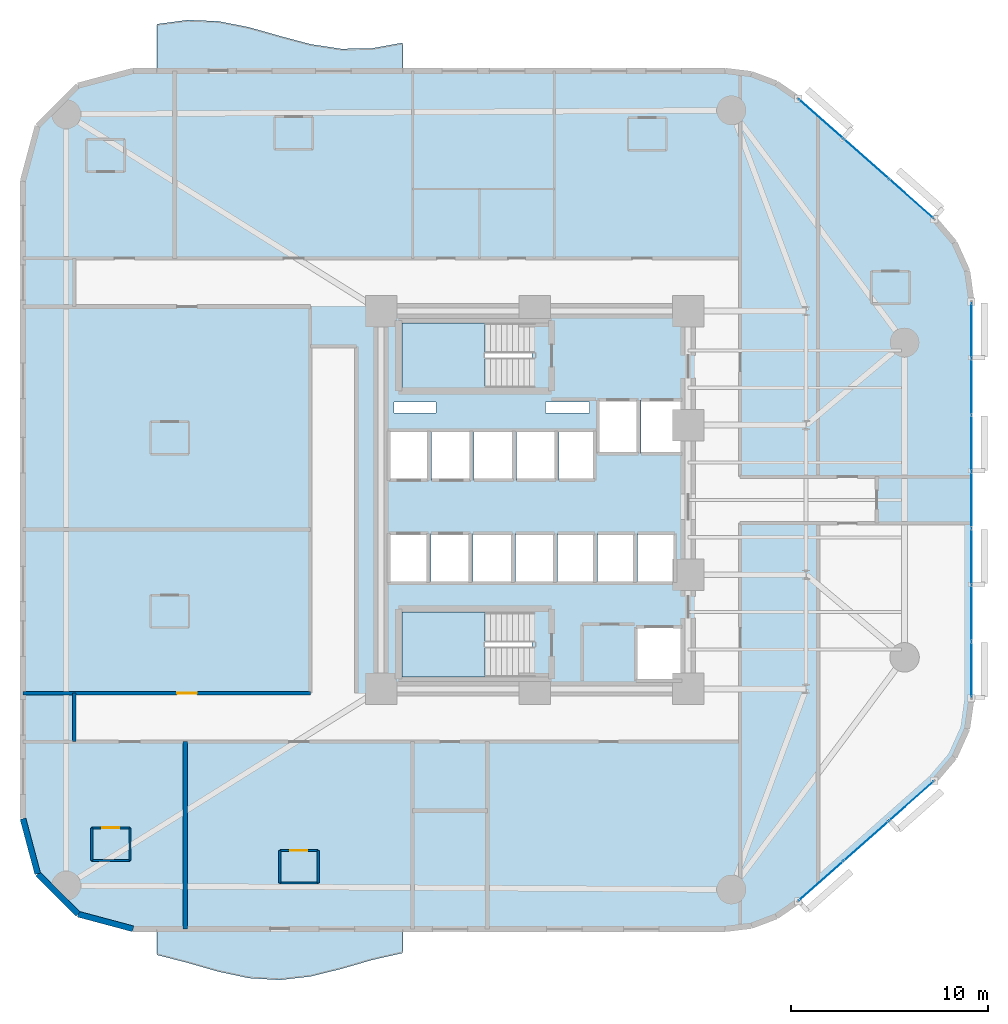
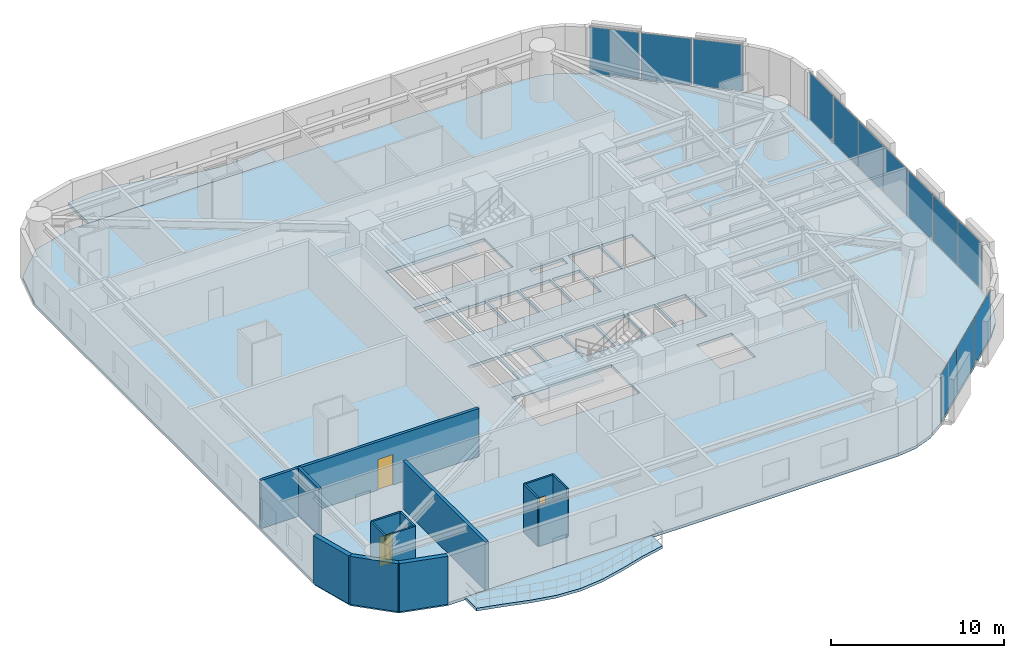
# One storey, part 9 of 16: 14 walls, 13 plates, 5 slabs, 3 doors, 3 openings, 5 elements without a shape of their own.
"""IFC4 building model written with IfcOpenShell, lengths in metres."""

from ifc_helpers import new_model, si_unit, direction, frame, frame_2d, origin, origin_2d, place, context, subcontext, project, spatial, polyline, rectangle, outline, extrude, material, layer, layer_set, type_object, element, fill, aggregate, save


model = new_model("IFC4")

# Units and contexts
model_context = context("Model", 3, precision=1e-05, world=origin(), true_north=direction((0.0, 1.0)))
body_context = subcontext(model_context, "Body", "Model", "MODEL_VIEW")
ifc_project = project(units=[si_unit("LENGTHUNIT", "METRE"), si_unit("AREAUNIT", "SQUARE_METRE"), si_unit("VOLUMEUNIT", "CUBIC_METRE"), si_unit("PLANEANGLEUNIT", "RADIAN"), si_unit("MASSUNIT", "GRAM", prefix="KILO")], contexts=[model_context])

# Site, building, storey
site_placement = place(None, origin())
site = spatial("IfcSite", under=ifc_project, at=site_placement, CompositionType="ELEMENT")
building_placement = place(site_placement, origin())
building = spatial("IfcBuilding", under=site, at=building_placement, Name="An Khanh Terracotta Commons", CompositionType="ELEMENT")
storey_placement = place(building_placement, frame((0.0, 0.0, 28.800048828125)))
storey = spatial("IfcBuildingStorey", under=building, at=storey_placement, Name="L07", CompositionType="ELEMENT", Elevation=28.800048828125)

# Curtain wall, plates
ifc_material_1 = material(Name="Anodised Aluminium 6063-T6", Category="aluminium")
ifc_layer_1 = layer(ifc_material_1, 0.199951171875, Name="Anodised Aluminium 6063-T6")
ifc_layer_set_1 = layer_set([ifc_layer_1], Name="Anodised Aluminium 6063-T6")
curtain_wall_type = type_object("IfcCurtainWallType", Name="CW-SYS-02", PredefinedType="USERDEFINED", material=ifc_layer_set_1)
curtain_wall_1_placement = place(storey_placement, origin())
curtain_wall_1 = element("IfcCurtainWall", 1, at=curtain_wall_1_placement, inside=storey, type_object=curtain_wall_type, Name="L07 CW-02 Unitised Curtain Wall CW-L07-08", ObjectType="UNITISED CURTAIN WALL", PredefinedType="USERDEFINED")
ifc_material_2 = material(Name="Double Low-E Solar Control Glazing", Category="glass")
ifc_layer_2 = layer(ifc_material_2, 0.028076171875, Name="Double Low-E Solar Control Glazing")
ifc_layer_set_2 = layer_set([ifc_layer_2], Name="Double Low-E Solar Control Glazing")
plate_type = type_object("IfcPlateType", Name="CWP-IGU-28", PredefinedType="CURTAIN_PANEL", material=ifc_layer_set_2)
plate_1_placement = place(storey_placement, frame((43.95556640625, 4.637939453125, 0.06005859375), z_axis=(0.0, 0.0, 1.0), x_axis=(0.749019284633, 0.662548195415, 0.0)))
plate_1 = element("IfcPlate", 2, at=plate_1_placement, type_object=plate_type, Name="CW-02 panel 1.1", PredefinedType="CURTAIN_PANEL", context=body_context, shape_type="SweptSolid", body=[
    extrude(rectangle(XDim=2.97509765625, YDim=0.028076171875, at=origin_2d()), origin(), (0.0, 0.0, 1.0), 3.280029296875),
])
plate_2_placement = place(storey_placement, frame((46.24951171875, 6.6669921875, 0.06005859375), z_axis=(0.0, 0.0, 1.0), x_axis=(0.749019284633, 0.662548195415, 0.0)))
plate_2 = element("IfcPlate", 3, at=plate_2_placement, type_object=plate_type, Name="CW-02 panel 2.1", PredefinedType="CURTAIN_PANEL", context=body_context, shape_type="SweptSolid", body=[
    extrude(rectangle(XDim=3.010009765625, YDim=0.028076171875, at=origin_2d()), origin(), (0.0, 0.0, 1.0), 3.280029296875),
])
plate_3_placement = place(storey_placement, frame((48.54345703125, 8.696044921875, 0.06005859375), z_axis=(0.0, 0.0, 1.0), x_axis=(0.749019284633, 0.662548195415, 0.0)))
plate_3 = element("IfcPlate", 4, at=plate_3_placement, type_object=plate_type, Name="CW-02 panel 3.1", PredefinedType="CURTAIN_PANEL", context=body_context, shape_type="SweptSolid", body=[
    extrude(rectangle(XDim=2.97509765625, YDim=0.028076171875, at=origin_2d()), origin(), (0.0, 0.0, 1.0), 3.280029296875),
])
aggregate(curtain_wall_1, [plate_1, plate_2, plate_3])

curtain_wall_2_placement = place(storey_placement, origin())
curtain_wall_2 = element("IfcCurtainWall", 5, at=curtain_wall_2_placement, inside=storey, type_object=curtain_wall_type, Name="L07 CW-02 Unitised Curtain Wall CW-L07-12", ObjectType="UNITISED CURTAIN WALL", PredefinedType="USERDEFINED")
plate_4_placement = place(storey_placement, frame((51.60009765625, 15.380126953125, 0.06005859375), z_axis=(0.0, 0.0, 1.0), x_axis=(0.0, 1.0, 0.0)))
plate_4 = element("IfcPlate", 6, at=plate_4_placement, type_object=plate_type, Name="CW-02 panel 1.1", PredefinedType="CURTAIN_PANEL", context=body_context, shape_type="SweptSolid", body=[
    extrude(rectangle(XDim=2.774169921875, YDim=0.028076171875, at=origin_2d()), origin(), (0.0, 0.0, 1.0), 3.280029296875),
])
plate_5_placement = place(storey_placement, frame((51.60009765625, 18.24169921875, 0.06005859375), z_axis=(0.0, 0.0, 1.0), x_axis=(0.0, 1.0, 0.0)))
plate_5 = element("IfcPlate", 7, at=plate_5_placement, type_object=plate_type, Name="CW-02 panel 2.1", PredefinedType="CURTAIN_PANEL", context=body_context, shape_type="SweptSolid", body=[
    extrude(rectangle(XDim=2.80908203125, YDim=0.028076171875, at=origin_2d()), origin(), (0.0, 0.0, 1.0), 3.280029296875),
])
plate_6_placement = place(storey_placement, frame((51.60009765625, 21.120849609375, 0.06005859375), z_axis=(0.0, 0.0, 1.0), x_axis=(0.0, 1.0, 0.0)))
plate_6 = element("IfcPlate", 8, at=plate_6_placement, type_object=plate_type, Name="CW-02 panel 3.1", PredefinedType="CURTAIN_PANEL", context=body_context, shape_type="SweptSolid", body=[
    extrude(rectangle(XDim=2.80908203125, YDim=0.028076171875, at=origin_2d()), origin(), (0.0, 0.0, 1.0), 3.280029296875),
])
plate_7_placement = place(storey_placement, frame((51.60009765625, 24.0, 0.06005859375), z_axis=(0.0, 0.0, 1.0), x_axis=(0.0, 1.0, 0.0)))
plate_7 = element("IfcPlate", 9, at=plate_7_placement, type_object=plate_type, Name="CW-02 panel 4.1", PredefinedType="CURTAIN_PANEL", context=body_context, shape_type="SweptSolid", body=[
    extrude(rectangle(XDim=2.80908203125, YDim=0.028076171875, at=origin_2d()), origin(), (0.0, 0.0, 1.0), 3.280029296875),
])
plate_8_placement = place(storey_placement, frame((51.60009765625, 26.879150390625, 0.06005859375), z_axis=(0.0, 0.0, 1.0), x_axis=(0.0, 1.0, 0.0)))
plate_8 = element("IfcPlate", 10, at=plate_8_placement, type_object=plate_type, Name="CW-02 panel 5.1", PredefinedType="CURTAIN_PANEL", context=body_context, shape_type="SweptSolid", body=[
    extrude(rectangle(XDim=2.80908203125, YDim=0.028076171875, at=origin_2d()), origin(), (0.0, 0.0, 1.0), 3.280029296875),
])
plate_9_placement = place(storey_placement, frame((51.60009765625, 29.75830078125, 0.06005859375), z_axis=(0.0, 0.0, 1.0), x_axis=(0.0, 1.0, 0.0)))
plate_9 = element("IfcPlate", 11, at=plate_9_placement, type_object=plate_type, Name="CW-02 panel 6.1", PredefinedType="CURTAIN_PANEL", context=body_context, shape_type="SweptSolid", body=[
    extrude(rectangle(XDim=2.80908203125, YDim=0.028076171875, at=origin_2d()), origin(), (0.0, 0.0, 1.0), 3.280029296875),
])
plate_10_placement = place(storey_placement, frame((51.60009765625, 32.619873046875, 0.06005859375), z_axis=(0.0, 0.0, 1.0), x_axis=(0.0, 1.0, 0.0)))
plate_10 = element("IfcPlate", 12, at=plate_10_placement, type_object=plate_type, Name="CW-02 panel 7.1", PredefinedType="CURTAIN_PANEL", context=body_context, shape_type="SweptSolid", body=[
    extrude(rectangle(XDim=2.774169921875, YDim=0.028076171875, at=origin_2d()), origin(), (0.0, 0.0, 1.0), 3.280029296875),
])
aggregate(curtain_wall_2, [plate_4, plate_5, plate_6, plate_7, plate_8, plate_9, plate_10])

curtain_wall_3_placement = place(storey_placement, origin())
curtain_wall_3 = element("IfcCurtainWall", 13, at=curtain_wall_3_placement, inside=storey, type_object=curtain_wall_type, Name="L07 CW-02 Unitised Curtain Wall CW-L07-16", ObjectType="UNITISED CURTAIN WALL", PredefinedType="USERDEFINED")
plate_11_placement = place(storey_placement, frame((48.54345703125, 39.303955078125, 0.06005859375), z_axis=(0.0, 0.0, 1.0), x_axis=(-0.749019284633, 0.662548195415, 0.0)))
plate_11 = element("IfcPlate", 14, at=plate_11_placement, type_object=plate_type, Name="CW-02 panel 1.1", PredefinedType="CURTAIN_PANEL", context=body_context, shape_type="SweptSolid", body=[
    extrude(rectangle(XDim=2.97509765625, YDim=0.028076171875, at=origin_2d()), origin(), (0.0, 0.0, 1.0), 3.280029296875),
])
plate_12_placement = place(storey_placement, frame((46.24951171875, 41.3330078125, 0.06005859375), z_axis=(0.0, 0.0, 1.0), x_axis=(-0.749019284633, 0.662548195415, 0.0)))
plate_12 = element("IfcPlate", 15, at=plate_12_placement, type_object=plate_type, Name="CW-02 panel 2.1", PredefinedType="CURTAIN_PANEL", context=body_context, shape_type="SweptSolid", body=[
    extrude(rectangle(XDim=3.010009765625, YDim=0.028076171875, at=origin_2d()), origin(), (0.0, 0.0, 1.0), 3.280029296875),
])
plate_13_placement = place(storey_placement, frame((43.95556640625, 43.362060546875, 0.06005859375), z_axis=(0.0, 0.0, 1.0), x_axis=(-0.749019284633, 0.662548195415, 0.0)))
plate_13 = element("IfcPlate", 16, at=plate_13_placement, type_object=plate_type, Name="CW-02 panel 3.1", PredefinedType="CURTAIN_PANEL", context=body_context, shape_type="SweptSolid", body=[
    extrude(rectangle(XDim=2.97509765625, YDim=0.028076171875, at=origin_2d()), origin(), (0.0, 0.0, 1.0), 3.280029296875),
])
aggregate(curtain_wall_3, [plate_11, plate_12, plate_13])

# Slabs
ifc_material_3 = material(Name="Concrete C40/50", Category="concrete")
ifc_layer_3 = layer(ifc_material_3, 0.199951171875, Name="Concrete C40/50")
ifc_layer_set_3 = layer_set([ifc_layer_3], Name="Concrete C40/50")
slab_type_1 = type_object("IfcSlabType", Name="SLAB-BALC-200", PredefinedType="FLOOR", material=ifc_layer_set_3)
slab_1_placement = place(storey_placement, frame((0.0, 0.0, -0.199951171875)))
element("IfcSlab", 17, at=slab_1_placement, inside=storey, type_object=slab_type_1, Name="L07 S Sinusoidal Wave Balcony Slab", PredefinedType="FLOOR", context=body_context, shape_type="SweptSolid", body=[
    extrude(outline(polyline([(10.199951171875, 2.199951171875), (10.199951171875, 0.8798828125), (11.761962890625, 0.47802734375), (13.324951171875, 0.029052734375), (14.886962890625, -0.302978515625), (16.449951171875, -0.39599609375), (18.011962890625, -0.218017578125), (19.574951171875, 0.16796875), (21.136962890625, 0.6201171875), (22.699951171875, 0.97412109375), (22.699951171875, 2.199951171875), (10.199951171875, 2.199951171875)])), origin(), (0.0, 0.0, 1.0), 0.199951171875),
])
slab_2_placement = place(storey_placement, frame((0.0, 0.0, -0.199951171875)))
element("IfcSlab", 18, at=slab_2_placement, inside=storey, type_object=slab_type_1, Name="L07 N Sinusoidal Wave Balcony Slab", PredefinedType="FLOOR", context=body_context, shape_type="SweptSolid", body=[
    extrude(outline(polyline([(22.699951171875, 45.800048828125), (22.699951171875, 47.23291015625), (21.136962890625, 46.949951171875), (19.574951171875, 46.922119140625), (18.011962890625, 47.159912109375), (16.449951171875, 47.575927734375), (14.886962890625, 48.02001953125), (13.324951171875, 48.327880859375), (11.761962890625, 48.388916015625), (10.199951171875, 48.179931640625), (10.199951171875, 45.800048828125), (22.699951171875, 45.800048828125)])), origin(), (0.0, 0.0, 1.0), 0.199951171875),
])

# Stair, slab
ifc_material_4 = material(Name="Precast concrete C40/50", Category="concrete")
stair_type = type_object("IfcStairType", Name="STAIR-CORE-1550", PredefinedType="HALF_TURN_STAIR", material=ifc_material_4)
stair_1_placement = place(storey_placement, origin())
stair_1 = element("IfcStair", 19, at=stair_1_placement, inside=storey, type_object=stair_type, Name="L07 Core Smokeproof Exit Stair ST-01", PredefinedType="HALF_TURN_STAIR")
ifc_layer_4 = layer(ifc_material_3, 0.18994140625, Name="Concrete C40/50")
ifc_layer_set_4 = layer_set([ifc_layer_4], Name="Concrete C40/50")
slab_type_2 = type_object("IfcSlabType", Name="SLAB-LANDING-190", PredefinedType="LANDING", material=ifc_layer_set_4)
slab_3_placement = place(storey_placement, frame((0.0, 0.0, 1.599853515625)))
slab_3 = element("IfcSlab", 20, at=slab_3_placement, type_object=slab_type_2, Name="ST-01 landing 1", PredefinedType="LANDING", context=body_context, shape_type="SweptSolid", body=[
    extrude(outline(polyline([(26.889892578125, 33.0), (22.64990234375, 33.0), (22.64990234375, 29.699951171875), (26.889892578125, 29.699951171875), (26.889892578125, 33.0)])), origin(), (0.0, 0.0, 1.0), 0.2001953125),
])
aggregate(stair_1, [slab_3])

stair_2_placement = place(storey_placement, origin())
stair_2 = element("IfcStair", 21, at=stair_2_placement, inside=storey, type_object=stair_type, Name="L07 Core Smokeproof Exit Stair ST-02", PredefinedType="HALF_TURN_STAIR")
slab_4_placement = place(storey_placement, frame((0.0, 0.0, 1.599853515625)))
slab_4 = element("IfcSlab", 22, at=slab_4_placement, type_object=slab_type_2, Name="ST-02 landing 1", PredefinedType="LANDING", context=body_context, shape_type="SweptSolid", body=[
    extrude(outline(polyline([(26.889892578125, 18.300048828125), (22.64990234375, 18.300048828125), (22.64990234375, 15.0), (26.889892578125, 15.0), (26.889892578125, 18.300048828125)])), origin(), (0.0, 0.0, 1.0), 0.2001953125),
])
aggregate(stair_2, [slab_4])

# Slab
ifc_layer_5 = layer(ifc_material_3, 0.199951171875, Name="Concrete C40/50")
ifc_layer_set_5 = layer_set([ifc_layer_5], Name="Concrete C40/50")
slab_type_3 = type_object("IfcSlabType", Name="SLAB-TYP-200", PredefinedType="FLOOR", material=ifc_layer_set_5)
slab_5_placement = place(storey_placement, frame((0.0, 0.0, -0.199951171875)))
element("IfcSlab", 23, at=slab_5_placement, inside=storey, type_object=slab_type_3, Name="L07 Structural Floor Slab", PredefinedType="FLOOR", context=body_context, shape_type="SweptSolid", body=[
    extrude(outline(polyline([(3.39990234375, 7.800048828125), (4.14990234375, 5.0), (6.199951171875, 2.949951171875), (9.0, 2.199951171875), (39.0791015625, 2.199951171875), (40.4169921875, 2.362060546875), (41.678955078125, 2.840087890625), (42.7890625, 3.60595703125), (49.7099609375, 9.72802734375), (50.73193359375, 10.927978515625), (51.37890625, 12.363037109375), (51.60009765625, 13.923095703125), (51.60009765625, 34.076904296875), (51.37890625, 35.636962890625), (50.73193359375, 37.072021484375), (49.7099609375, 38.27197265625), (42.7890625, 44.39404296875), (41.678955078125, 45.159912109375), (40.4169921875, 45.637939453125), (39.0791015625, 45.800048828125), (9.0, 45.800048828125), (6.199951171875, 45.050048828125), (4.14990234375, 43.0), (3.39990234375, 40.199951171875), (3.39990234375, 7.800048828125)]), holes=[polyline([(22.64990234375, 29.699951171875), (29.27001953125, 29.699951171875), (29.27001953125, 33.0), (22.64990234375, 33.0), (22.64990234375, 29.699951171875)]), polyline([(22.64990234375, 15.0), (29.27001953125, 15.0), (29.27001953125, 18.300048828125), (22.64990234375, 18.300048828125), (22.64990234375, 15.0)]), polyline([(32.60009765625, 26.35009765625), (34.679931640625, 26.35009765625), (34.679931640625, 29.080078125), (32.60009765625, 29.080078125), (32.60009765625, 26.35009765625)]), polyline([(34.820068359375, 26.35009765625), (36.89990234375, 26.35009765625), (36.89990234375, 29.080078125), (34.820068359375, 29.080078125), (34.820068359375, 26.35009765625)]), polyline([(34.550048828125, 14.800048828125), (36.89990234375, 14.800048828125), (36.89990234375, 17.550048828125), (34.550048828125, 17.550048828125), (34.550048828125, 14.800048828125)]), polyline([(22.0, 25.0), (24.02001953125, 25.0), (24.02001953125, 27.5), (22.0, 27.5), (22.0, 25.0)]), polyline([(24.159912109375, 25.0), (26.179931640625, 25.0), (26.179931640625, 27.5), (24.159912109375, 27.5), (24.159912109375, 25.0)]), polyline([(22.0, 19.800048828125), (24.0, 19.800048828125), (24.0, 22.300048828125), (22.0, 22.300048828125), (22.0, 19.800048828125)]), polyline([(24.139892578125, 19.800048828125), (26.139892578125, 19.800048828125), (26.139892578125, 22.300048828125), (24.139892578125, 22.300048828125), (24.139892578125, 19.800048828125)]), polyline([(26.320068359375, 25.0), (28.340087890625, 25.0), (28.340087890625, 27.5), (26.320068359375, 27.5), (26.320068359375, 25.0)]), polyline([(28.47998046875, 25.0), (30.5, 25.0), (30.5, 27.5), (28.47998046875, 27.5), (28.47998046875, 25.0)]), polyline([(26.280029296875, 19.800048828125), (28.280029296875, 19.800048828125), (28.280029296875, 22.300048828125), (26.280029296875, 22.300048828125), (26.280029296875, 19.800048828125)]), polyline([(28.419921875, 19.800048828125), (30.419921875, 19.800048828125), (30.419921875, 22.300048828125), (28.419921875, 22.300048828125), (28.419921875, 19.800048828125)]), polyline([(30.639892578125, 25.0), (32.4599609375, 25.0), (32.4599609375, 27.5), (30.639892578125, 27.5), (30.639892578125, 25.0)]), polyline([(30.56005859375, 19.800048828125), (32.4599609375, 19.800048828125), (32.4599609375, 22.300048828125), (30.56005859375, 22.300048828125), (30.56005859375, 19.800048828125)]), polyline([(32.60009765625, 19.800048828125), (34.5, 19.800048828125), (34.5, 22.300048828125), (32.60009765625, 22.300048828125), (32.60009765625, 19.800048828125)]), polyline([(34.639892578125, 19.800048828125), (36.5400390625, 19.800048828125), (36.5400390625, 22.300048828125), (34.639892578125, 22.300048828125), (34.639892578125, 19.800048828125)]), polyline([(22.25, 28.419921875), (24.39990234375, 28.419921875), (24.39990234375, 28.97998046875), (22.25, 28.97998046875), (22.25, 28.419921875)]), polyline([(29.949951171875, 28.419921875), (32.199951171875, 28.419921875), (32.199951171875, 28.97998046875), (29.949951171875, 28.97998046875), (29.949951171875, 28.419921875)])]), origin(), (0.0, 0.0, 1.0), 0.199951171875),
])

# Wall, opening, door
ifc_material_5 = material(Name="Fire-Rated Gypsum Board on Steel Stud", Category="steel")
ifc_layer_6 = layer(ifc_material_5, 0.179931640625, Name="Fire-Rated Gypsum Board on Steel Stud")
ifc_layer_set_6 = layer_set([ifc_layer_6], Name="Fire-Rated Gypsum Board on Steel Stud")
wall_type_1 = type_object("IfcWallType", Name="WALL-CORR-180", PredefinedType="PARTITIONING", material=ifc_layer_set_6)
wall_1_placement = place(storey_placement, frame((3.39990234375, 14.179931640625, 0.0), z_axis=(0.0, 0.0, 1.0), x_axis=(1.0, 0.0, 0.0)))
wall_1 = element("IfcWall", 24, at=wall_1_placement, inside=storey, type_object=wall_type_1, Name="L07 Interior Partition IW-L07-E003", PredefinedType="PARTITIONING", context=body_context, shape_type="SweptSolid", body=[
    extrude(rectangle(XDim=14.60009765625, YDim=0.179931640625, at=frame_2d((7.300048828125, 0.0))), origin(), (0.0, 0.0, 1.0), 3.39990234375),
])
opening_1_placement = place(wall_1_placement, frame((7.840087890625, 0.0, 0.0)))
opening_1 = element("IfcOpeningElement", 25, at=opening_1_placement, cuts=wall_1, Name="Opening D-UN", PredefinedType="OPENING", context=body_context, shape_type="SweptSolid", body=[
    extrude(rectangle(XDim=1.0, YDim=2.14990234375, at=frame_2d((0.5, 1.074951171875))), frame((0.0, 0.099853515625, 0.0), z_axis=(0.0, -1.0, 0.0), x_axis=(1.0, 0.0, 0.0)), (0.0, 0.0, 1.0), 0.199951171875),
])
ifc_material_6 = material(Name="Solid-Core Hardwood Acoustic Fire Door", Category="wood")
door_type_1 = type_object("IfcDoorType", Name="DOOR-UNIT-1000", OperationType="NOTDEFINED", PredefinedType="DOOR", material=ifc_material_6)
door_1_placement = place(opening_1_placement, origin())
door_1 = element("IfcDoor", 26, at=door_1_placement, inside=storey, type_object=door_type_1, Name="L07 WW1 Kitchenette and Studio Apartment Door", OperationType="SINGLE_SWING_LEFT", OverallHeight=2.14990234375, OverallWidth=1.0, PredefinedType="DOOR", context=body_context, shape_type="SweptSolid", body=[
    extrude(rectangle(XDim=1.0, YDim=2.14990234375, at=frame_2d((0.5, 1.074951171875))), frame((0.0, 0.02490234375, 0.0), z_axis=(0.0, -1.0, 0.0), x_axis=(1.0, 0.0, 0.0)), (0.0, 0.0, 1.0), 0.050048828125),
])
fill(opening_1, door_1)

# Walls
wall_2_placement = place(storey_placement, frame((6.0, 11.719970703125, 0.0), z_axis=(0.0, 0.0, 1.0), x_axis=(0.0, 1.0, 0.0)))
element("IfcWall", 27, at=wall_2_placement, inside=storey, type_object=wall_type_1, Name="L07 Interior Partition IW-L07-E011", PredefinedType="PARTITIONING", context=body_context, shape_type="SweptSolid", body=[
    extrude(rectangle(XDim=2.4599609375, YDim=0.179931640625, at=frame_2d((1.22998046875, 0.0))), origin(), (0.0, 0.0, 1.0), 3.39990234375),
])
ifc_layer_7 = layer(ifc_material_4, 0.300048828125, Name="Precast concrete C40/50")
ifc_layer_set_7 = layer_set([ifc_layer_7], Name="Precast concrete C40/50")
wall_type_2 = type_object("IfcWallType", Name="WALL-EXT-300", PredefinedType="SOLIDWALL", material=ifc_layer_set_7)
wall_3_placement = place(storey_placement, frame((3.39990234375, 7.800048828125, 0.0), z_axis=(0.0, 0.0, 1.0), x_axis=(0.258731875344, -0.96594917914, 0.0)))
element("IfcWall", 28, at=wall_3_placement, inside=storey, type_object=wall_type_2, Name="L07 Insulated Terracotta Exterior Wall 1", PredefinedType="SOLIDWALL", context=body_context, shape_type="SweptSolid", body=[
    extrude(rectangle(XDim=2.898681640625, YDim=0.300048828125, at=frame_2d((1.44921875, 0.0))), origin(), (0.0, 0.0, 1.0), 3.39990234375),
])
wall_4_placement = place(storey_placement, frame((4.14990234375, 5.0, 0.0), z_axis=(0.0, 0.0, 1.0), x_axis=(0.707106781187, -0.707106781187, 0.0)))
element("IfcWall", 29, at=wall_4_placement, inside=storey, type_object=wall_type_2, Name="L07 Insulated Terracotta Exterior Wall 2", PredefinedType="SOLIDWALL", context=body_context, shape_type="SweptSolid", body=[
    extrude(rectangle(XDim=2.899169921875, YDim=0.300048828125, at=frame_2d((1.44970703125, 0.0))), origin(), (0.0, 0.0, 1.0), 3.39990234375),
])
wall_5_placement = place(storey_placement, frame((6.199951171875, 2.949951171875, 0.0), z_axis=(0.0, 0.0, 1.0), x_axis=(0.96594917914, -0.258731875344, 0.0)))
element("IfcWall", 30, at=wall_5_placement, inside=storey, type_object=wall_type_2, Name="L07 Insulated Terracotta Exterior Wall 3", PredefinedType="SOLIDWALL", context=body_context, shape_type="SweptSolid", body=[
    extrude(rectangle(XDim=2.898681640625, YDim=0.300048828125, at=frame_2d((1.44921875, 0.0))), origin(), (0.0, 0.0, 1.0), 3.39990234375),
])
ifc_material_7 = material(Name="Acoustic Double-Stud Gypsum and Mineral Wool")
ifc_layer_8 = layer(ifc_material_7, 0.219970703125, Name="Acoustic Double-Stud Gypsum and Mineral Wool")
ifc_layer_set_8 = layer_set([ifc_layer_8], Name="Acoustic Double-Stud Gypsum and Mineral Wool")
wall_type_3 = type_object("IfcWallType", Name="WALL-PARTY-220", PredefinedType="PARTITIONING", material=ifc_layer_set_8)
wall_6_placement = place(storey_placement, frame((11.64990234375, 2.199951171875, 0.0), z_axis=(0.0, 0.0, 1.0), x_axis=(0.0, 1.0, 0.0)))
element("IfcWall", 31, at=wall_6_placement, inside=storey, type_object=wall_type_3, Name="L07 Interior Partition IW-L07-E014", PredefinedType="PARTITIONING", context=body_context, shape_type="SweptSolid", body=[
    extrude(rectangle(XDim=9.52001953125, YDim=0.219970703125, at=frame_2d((4.760009765625, 0.0))), origin(), (0.0, 0.0, 1.0), 3.39990234375),
])

# Wall, opening, door
ifc_material_8 = material(Name="Moisture-Resistant Cement Board Partition")
ifc_layer_9 = layer(ifc_material_8, 0.1201171875, Name="Moisture-Resistant Cement Board Partition")
ifc_layer_set_9 = layer_set([ifc_layer_9], Name="Moisture-Resistant Cement Board Partition")
wall_type_4 = type_object("IfcWallType", Name="WALL-WET-120", PredefinedType="PARTITIONING", material=ifc_layer_set_9)
wall_7_placement = place(storey_placement, frame((6.888916015625, 7.3291015625, 0.0), z_axis=(0.0, 0.0, 1.0), x_axis=(1.0, 0.0, 0.0)))
wall_7 = element("IfcWall", 32, at=wall_7_placement, inside=storey, type_object=wall_type_4, Name="L07 Interior Partition IW-L07-SW1-BN", PredefinedType="PARTITIONING", context=body_context, shape_type="SweptSolid", body=[
    extrude(rectangle(XDim=1.9501953125, YDim=0.1201171875, at=frame_2d((0.97509765625, 0.0))), origin(), (0.0, 0.0, 1.0), 3.39990234375),
])
opening_2_placement = place(wall_7_placement, frame((0.544921875, 0.0, 0.0)))
opening_2 = element("IfcOpeningElement", 33, at=opening_2_placement, cuts=wall_7, Name="Opening D-ENS", PredefinedType="OPENING", context=body_context, shape_type="SweptSolid", body=[
    extrude(rectangle(XDim=0.860107421875, YDim=2.10009765625, at=frame_2d((0.43017578125, 1.050048828125))), frame((0.0, 0.070068359375, 0.0), z_axis=(0.0, -1.0, 0.0), x_axis=(1.0, 0.0, 0.0)), (0.0, 0.0, 1.0), 0.14013671875),
])
ifc_material_9 = material(Name="Moisture-Resistant Hardwood Timber Leaf", Category="wood")
door_type_2 = type_object("IfcDoorType", Name="DOOR-BATH-860", OperationType="NOTDEFINED", PredefinedType="DOOR", material=ifc_material_9)
door_2_placement = place(opening_2_placement, origin())
door_2 = element("IfcDoor", 34, at=door_2_placement, inside=storey, type_object=door_type_2, Name="L07 Studio SW1 En-suite Door", OperationType="SINGLE_SWING_LEFT", OverallHeight=2.10009765625, OverallWidth=0.860107421875, PredefinedType="DOOR", context=body_context, shape_type="SweptSolid", body=[
    extrude(rectangle(XDim=0.860107421875, YDim=2.10009765625, at=frame_2d((0.43017578125, 1.050048828125))), frame((0.0, 0.02490234375, 0.0), z_axis=(0.0, -1.0, 0.0), x_axis=(1.0, 0.0, 0.0)), (0.0, 0.0, 1.0), 0.050048828125),
])
fill(opening_2, door_2)

# Walls
wall_8_placement = place(storey_placement, frame((8.839111328125, 5.678955078125, 0.0), z_axis=(0.0, 0.0, 1.0), x_axis=(-1.0, 0.0, 0.0)))
element("IfcWall", 35, at=wall_8_placement, inside=storey, type_object=wall_type_4, Name="L07 Interior Partition IW-L07-SW1-BS", PredefinedType="PARTITIONING", context=body_context, shape_type="SweptSolid", body=[
    extrude(rectangle(XDim=1.9501953125, YDim=0.1201171875, at=frame_2d((0.97509765625, 0.0))), origin(), (0.0, 0.0, 1.0), 3.39990234375),
])
for number, where, z_axis, x_axis, name in (
    (36, (6.888916015625, 7.3291015625, 0.0), (0.0, 0.0, 1.0), (0.0, -1.0, 0.0), "L07 Interior Partition IW-L07-SW1-BW"),
    (37, (8.839111328125, 5.678955078125, 0.0), (0.0, 0.0, 1.0), (0.0, 1.0, 0.0), "L07 Interior Partition IW-L07-SW1-BE"),
):
    element("IfcWall", number, at=place(storey_placement, frame(where, z_axis=z_axis, x_axis=x_axis)), inside=storey, type_object=wall_type_4, Name=name, PredefinedType="PARTITIONING", context=body_context, shape_type="SweptSolid", body=[
        extrude(rectangle(XDim=1.650146484375, YDim=0.1201171875, at=frame_2d((0.8251953125, 0.0))), origin(), (0.0, 0.0, 1.0), 3.39990234375),
    ])

# Wall, opening, door
wall_9_placement = place(storey_placement, frame((16.449951171875, 6.18505859375, 0.0), z_axis=(0.0, 0.0, 1.0), x_axis=(1.0, 0.0, 0.0)))
wall_9 = element("IfcWall", 38, at=wall_9_placement, inside=storey, type_object=wall_type_4, Name="L07 Interior Partition IW-L07-SW2-BN", PredefinedType="PARTITIONING", context=body_context, shape_type="SweptSolid", body=[
    extrude(rectangle(XDim=1.949951171875, YDim=0.1201171875, at=frame_2d((0.97509765625, 0.0))), origin(), (0.0, 0.0, 1.0), 3.39990234375),
])
opening_3_placement = place(wall_9_placement, frame((0.544921875, 0.0, 0.0)))
opening_3 = element("IfcOpeningElement", 39, at=opening_3_placement, cuts=wall_9, Name="Opening D-ENS", PredefinedType="OPENING", context=body_context, shape_type="SweptSolid", body=[
    extrude(rectangle(XDim=0.860107421875, YDim=2.10009765625, at=frame_2d((0.43017578125, 1.050048828125))), frame((0.0, 0.070068359375, 0.0), z_axis=(0.0, -1.0, 0.0), x_axis=(1.0, 0.0, 0.0)), (0.0, 0.0, 1.0), 0.14013671875),
])
door_3_placement = place(opening_3_placement, origin())
door_3 = element("IfcDoor", 40, at=door_3_placement, inside=storey, type_object=door_type_2, Name="L07 Studio SW2 En-suite Door", OperationType="SINGLE_SWING_RIGHT", OverallHeight=2.10009765625, OverallWidth=0.860107421875, PredefinedType="DOOR", context=body_context, shape_type="SweptSolid", body=[
    extrude(rectangle(XDim=0.860107421875, YDim=2.10009765625, at=frame_2d((0.43017578125, 1.050048828125))), frame((0.0, 0.02490234375, 0.0), z_axis=(0.0, -1.0, 0.0), x_axis=(1.0, 0.0, 0.0)), (0.0, 0.0, 1.0), 0.050048828125),
])
fill(opening_3, door_3)

# Walls
wall_10_placement = place(storey_placement, frame((18.39990234375, 4.534912109375, 0.0), z_axis=(0.0, 0.0, 1.0), x_axis=(-1.0, 0.0, 0.0)))
element("IfcWall", 41, at=wall_10_placement, inside=storey, type_object=wall_type_4, Name="L07 Interior Partition IW-L07-SW2-BS", PredefinedType="PARTITIONING", context=body_context, shape_type="SweptSolid", body=[
    extrude(rectangle(XDim=1.949951171875, YDim=0.1201171875, at=frame_2d((0.97509765625, 0.0))), origin(), (0.0, 0.0, 1.0), 2.8818359375),
])
for number, where, z_axis, x_axis, name in (
    (42, (16.449951171875, 6.18505859375, 0.0), (0.0, 0.0, 1.0), (0.0, -1.0, 0.0), "L07 Interior Partition IW-L07-SW2-BW"),
    (43, (18.39990234375, 4.534912109375, 0.0), (0.0, 0.0, 1.0), (0.0, 1.0, 0.0), "L07 Interior Partition IW-L07-SW2-BE"),
):
    element("IfcWall", number, at=place(storey_placement, frame(where, z_axis=z_axis, x_axis=x_axis)), inside=storey, type_object=wall_type_4, Name=name, PredefinedType="PARTITIONING", context=body_context, shape_type="SweptSolid", body=[
        extrude(rectangle(XDim=1.650146484375, YDim=0.1201171875, at=frame_2d((0.8251953125, 0.0))), origin(), (0.0, 0.0, 1.0), 3.39990234375),
    ])

save(model, "model.ifc")
